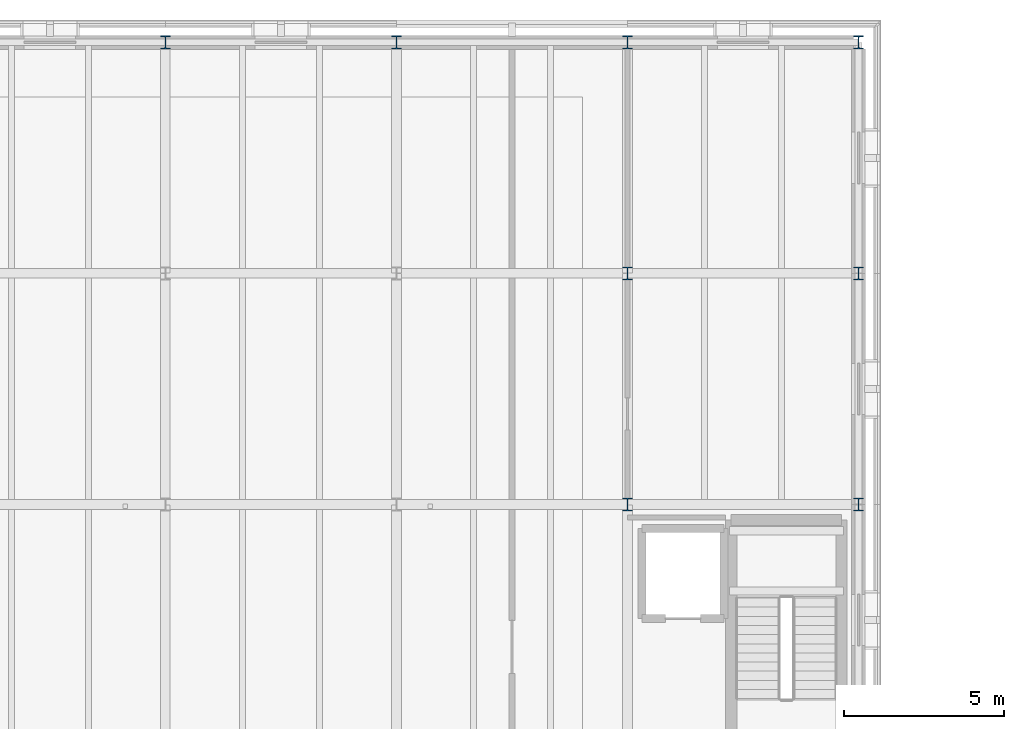
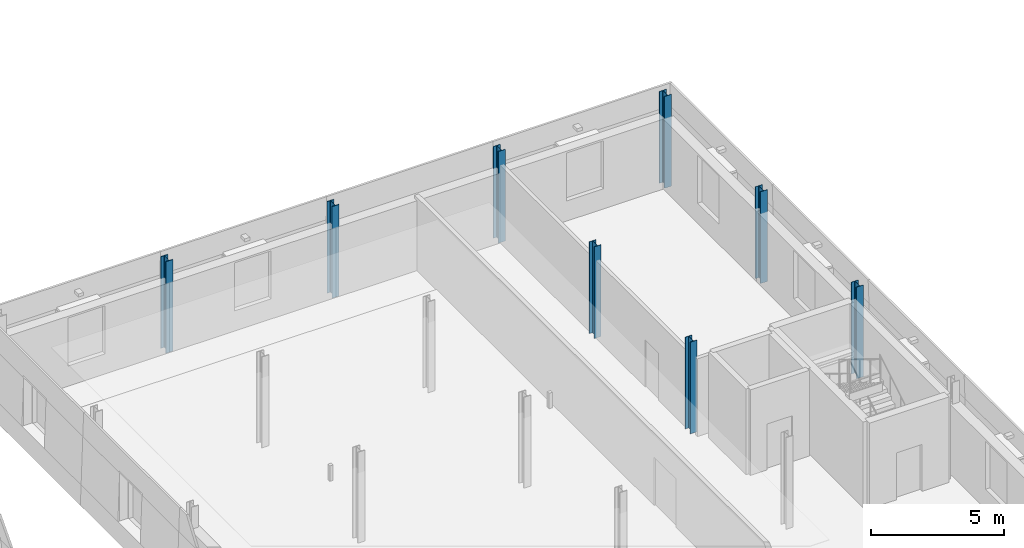
# One storey, part 9 of 115: 8 columns.
"""IFC4 building model written with IfcOpenShell, lengths in metres."""

from ifc_helpers import new_model, si_unit, direction, frame, origin, origin_2d, place, context, subcontext, project, spatial, i_section, extrude, material, material_profile, profile_set, type_object, element, save


model = new_model("IFC4")

# Units and contexts
model_context = context("Model", 3, precision=1e-05, world=origin(), true_north=direction((0.0, 1.0)))
body_context = subcontext(model_context, "Body", "Model", "MODEL_VIEW")
ifc_project = project(units=[si_unit("LENGTHUNIT", "METRE"), si_unit("AREAUNIT", "SQUARE_METRE"), si_unit("VOLUMEUNIT", "CUBIC_METRE"), si_unit("PLANEANGLEUNIT", "RADIAN"), si_unit("MASSUNIT", "GRAM", prefix="KILO")], contexts=[model_context])

# Site, building, storey
site_placement = place(None, origin())
site = spatial("IfcSite", under=ifc_project, at=site_placement, CompositionType="ELEMENT")
building_placement = place(site_placement, origin())
building = spatial("IfcBuilding", under=site, at=building_placement, Name="Narikvali Park Central Library", CompositionType="ELEMENT")
storey_placement = place(building_placement, frame((0.0, 0.0, 10.199951171875)))
storey = spatial("IfcBuildingStorey", under=building, at=storey_placement, Name="L02", CompositionType="ELEMENT", Elevation=10.199951171875)

# Columns
ifc_material = material(Name="Steel S355", Category="steel")
ifc_material_profile = material_profile(ifc_material, i_section(OverallWidth=0.300048828125, OverallDepth=0.39990234375, WebThickness=0.013427734375, FlangeThickness=0.02392578125, FilletRadius=0.027099609375, at=origin_2d()), Name="HEB 400")
ifc_profile_set = profile_set([ifc_material_profile], Name="Steel S355")
column_type = type_object("IfcColumnType", Name="Steel Column HEB400", PredefinedType="COLUMN", material=ifc_profile_set)
for number, where, z_axis, x_axis, name in (
    (1, (36.0, 115.199951171875, 0.0), (0.0, 0.0, 1.0), (1.0, 0.0, 0.0), "V4 L02 Column (36.0,115.2)"),
    (2, (43.199951171875, 115.199951171875, 0.0), (0.0, 0.0, 1.0), (1.0, 0.0, 0.0), "V4 L02 Column (43.2,115.2)"),
    (3, (50.39990234375, 100.800048828125, 0.0), (0.0, 0.0, 1.0), (1.0, 0.0, 0.0), "V4 L02 Column (50.4,100.8)"),
    (4, (50.39990234375, 108.0, 0.0), (0.0, 0.0, 1.0), (1.0, 0.0, 0.0), "V4 L02 Column (50.4,108.0)"),
    (5, (50.39990234375, 115.199951171875, 0.0), (0.0, 0.0, 1.0), (1.0, 0.0, 0.0), "V4 L02 Column (50.4,115.2)"),
    (6, (57.60009765625, 100.800048828125, 0.0), (0.0, 0.0, 1.0), (1.0, 0.0, 0.0), "V4 L02 Column (57.6,100.8)"),
    (7, (57.60009765625, 108.0, 0.0), (0.0, 0.0, 1.0), (1.0, 0.0, 0.0), "V4 L02 Column (57.6,108.0)"),
    (8, (57.60009765625, 115.199951171875, 0.0), (0.0, 0.0, 1.0), (1.0, 0.0, 0.0), "V4 L02 Column (57.6,115.2)"),
):
    element("IfcColumn", number, at=place(storey_placement, frame(where, z_axis=z_axis, x_axis=x_axis)), inside=storey, type_object=column_type, Name=name, PredefinedType="COLUMN", context=body_context, shape_type="SweptSolid", body=[
        extrude(i_section(OverallWidth=0.300048828125, OverallDepth=0.39990234375, WebThickness=0.013427734375, FlangeThickness=0.02392578125, FilletRadius=0.027099609375, at=origin_2d()), origin(), (0.0, 0.0, 1.0), 4.199951171875),
    ])

save(model, "model.ifc")
